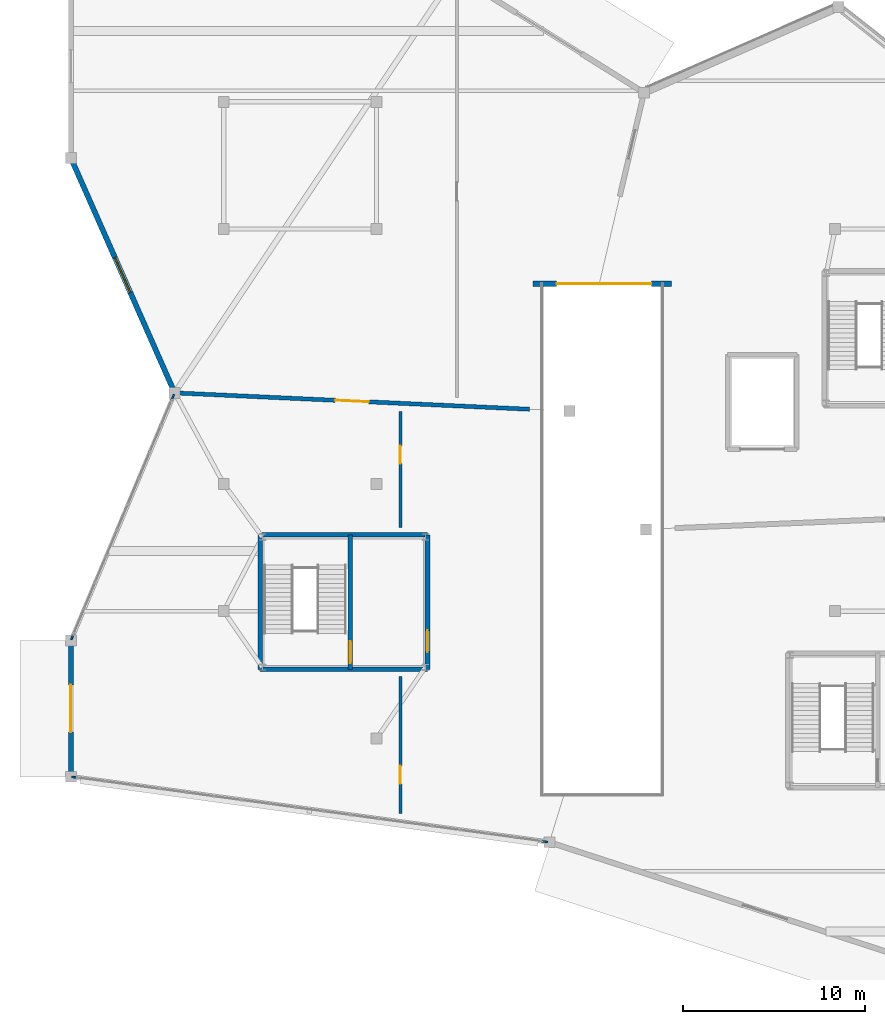
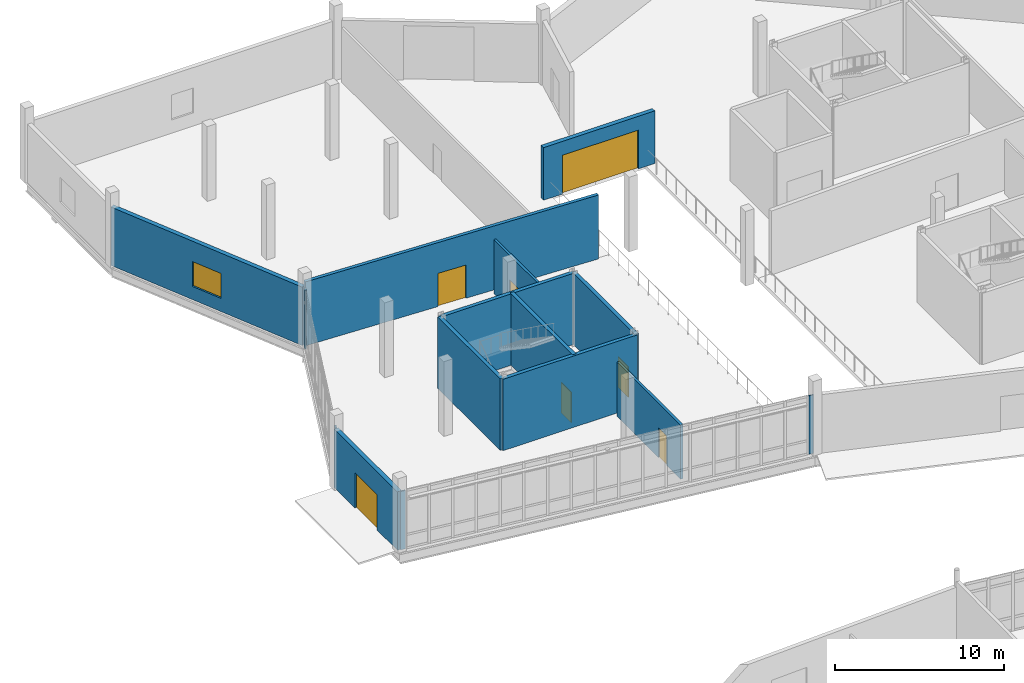
# One storey, part 92 of 113: 15 walls, 7 doors, 1 window, 8 openings.
"""IFC4 building model written with IfcOpenShell, lengths in metres."""

from ifc_helpers import new_model, si_unit, direction, frame, frame_2d, origin, place, context, subcontext, project, spatial, rectangle, extrude, material, layer, layer_set, type_object, element, fill, save


model = new_model("IFC4")

# Units and contexts
model_context = context("Model", 3, precision=1e-05, world=origin(), true_north=direction((0.0, 1.0)))
body_context = subcontext(model_context, "Body", "Model", "MODEL_VIEW")
ifc_project = project(units=[si_unit("LENGTHUNIT", "METRE"), si_unit("AREAUNIT", "SQUARE_METRE"), si_unit("VOLUMEUNIT", "CUBIC_METRE"), si_unit("PLANEANGLEUNIT", "RADIAN"), si_unit("MASSUNIT", "GRAM", prefix="KILO")], contexts=[model_context])

# Site, building, storey
site_placement = place(None, origin())
site = spatial("IfcSite", under=ifc_project, at=site_placement, CompositionType="ELEMENT")
building_placement = place(site_placement, origin())
building = spatial("IfcBuilding", under=site, at=building_placement, Name="Tameran Prism Museum", CompositionType="ELEMENT")
storey_placement = place(building_placement, origin())
storey = spatial("IfcBuildingStorey", under=building, at=storey_placement, Name="L00", CompositionType="ELEMENT", Elevation=0.0)

# Walls
ifc_material_1 = material(Name="Precast Concrete N40 (40 MPa)", Category="concrete")
ifc_layer_1 = layer(ifc_material_1, 0.094970703125)
ifc_layer_set_1 = layer_set([ifc_layer_1])
wall_type_1 = type_object("IfcWallType", Name="EW-CLOS-095", PredefinedType="SOLIDWALL", material=ifc_layer_set_1)
for number, where, z_axis, x_axis, name in (
    (1, (26.198974609375, 64.31396484375, 0.0), (0.0, 0.0, 1.0), (-0.991074779294, 0.133307096014, 0.0), "Facade Corner Closure EW-0150"),
    (2, (0.346923828125, 67.85302734375, 0.0), (0.0, 0.0, 1.0), (-0.991074779294, 0.133307096014, 0.0), "Facade Corner Closure EW-0151"),
):
    element("IfcWall", number, at=place(storey_placement, frame(where, z_axis=z_axis, x_axis=x_axis)), inside=storey, type_object=wall_type_1, Name=name, PredefinedType="SOLIDWALL", context=body_context, shape_type="SweptSolid", body=[
        extrude(rectangle(XDim=0.3076171875, YDim=0.094970703125, at=frame_2d((0.15380859375, 0.0))), origin(), (0.0, 0.0, 1.0), 4.219970703125),
    ])
for number, where, z_axis, x_axis, name in (
    (3, (0.01611328125, 75.43896484375, 0.0), (0.0, 0.0, 1.0), (0.3862479465, 0.922394993387, 0.0), "Facade Corner Closure EW-0152"),
    (4, (5.5419921875, 88.6220703125, 0.0), (0.0, 0.0, 1.0), (0.3862479465, 0.922394993387, 0.0), "Facade Corner Closure EW-0153"),
):
    element("IfcWall", number, at=place(storey_placement, frame(where, z_axis=z_axis, x_axis=x_axis)), inside=storey, type_object=wall_type_1, Name=name, PredefinedType="SOLIDWALL", context=body_context, shape_type="SweptSolid", body=[
        extrude(rectangle(XDim=0.307861328125, YDim=0.094970703125, at=frame_2d((0.15380859375, 0.0))), origin(), (0.0, 0.0, 1.0), 4.219970703125),
    ])

# Wall, opening, door
ifc_material_2 = material(Name="Precast Concrete N40 (40 MPa)", Category="concrete")
ifc_layer_2 = layer(ifc_material_2, 0.2900390625)
ifc_layer_set_2 = layer_set([ifc_layer_2])
wall_type_2 = type_object("IfcWallType", Name="EW-FOY-290", PredefinedType="SOLIDWALL", material=ifc_layer_set_2)
wall_1_placement = place(storey_placement, frame((0.0, 67.89990234375, 0.0), z_axis=(0.0, 0.0, 1.0), x_axis=(0.0, 1.0, 0.0)))
wall_1 = element("IfcWall", 5, at=wall_1_placement, inside=storey, type_object=wall_type_2, Name="Exterior Fluted Precast Wall EW-0149", PredefinedType="SOLIDWALL", context=body_context, shape_type="SweptSolid", body=[
    extrude(rectangle(XDim=7.5, YDim=0.2900390625, at=frame_2d((3.75, 0.0))), origin(), (0.0, 0.0, 1.0), 4.219970703125),
])
opening_1_placement = place(wall_1_placement, frame((2.449951171875, 0.0, 0.0)))
opening_1 = element("IfcOpeningElement", 6, at=opening_1_placement, cuts=wall_1, Name="Opening ED-14", PredefinedType="OPENING", context=body_context, shape_type="SweptSolid", body=[
    extrude(rectangle(XDim=2.60009765625, YDim=2.550048828125, at=frame_2d((1.300048828125, 1.27490234375))), frame((0.0, 0.155029296875, 0.0), z_axis=(0.0, -1.0, 0.0), x_axis=(1.0, 0.0, 0.0)), (0.0, 0.0, 1.0), 0.31005859375),
])
ifc_material_3 = material(Name="Cyclone-Rated Anodised Aluminium 6063-T6 and Laminated Glass", Category="aluminium")
door_type_1 = type_object("IfcDoorType", Name="DR-EXT-240", OperationType="DOUBLE_DOOR_SINGLE_SWING", PredefinedType="DOOR", material=ifc_material_3)
door_1_placement = place(opening_1_placement, origin())
door_1 = element("IfcDoor", 7, at=door_1_placement, inside=storey, type_object=door_type_1, Name="Final Exit Double Door ED-14", OperationType="DOUBLE_DOOR_SINGLE_SWING", OverallHeight=2.550048828125, OverallWidth=2.60009765625, PredefinedType="DOOR", context=body_context, shape_type="SweptSolid", body=[
    extrude(rectangle(XDim=2.60009765625, YDim=2.550048828125, at=frame_2d((1.300048828125, 1.27490234375))), frame((0.0, 0.02490234375, 0.0), z_axis=(0.0, -1.0, 0.0), x_axis=(1.0, 0.0, 0.0)), (0.0, 0.0, 1.0), 0.050048828125),
])
fill(opening_1, door_1)

# Wall, opening, window
wall_2_placement = place(storey_placement, frame((5.676025390625, 89.054931640625, 0.0), z_axis=(0.0, 0.0, 1.0), x_axis=(-0.404184143846, 0.914677636035, 0.0)))
wall_2 = element("IfcWall", 8, at=wall_2_placement, inside=storey, type_object=wall_type_2, Name="Exterior Fluted Precast Wall EW-0157", PredefinedType="SOLIDWALL", context=body_context, shape_type="SweptSolid", body=[
    extrude(rectangle(XDim=14.043212890625, YDim=0.2900390625, at=frame_2d((7.021484375, 0.0))), origin(), (0.0, 0.0, 1.0), 4.219970703125),
])
opening_2_placement = place(wall_2_placement, frame((5.970947265625, 0.0, 0.949951171875)))
opening_2 = element("IfcOpeningElement", 9, at=opening_2_placement, cuts=wall_2, Name="Opening W-004", PredefinedType="OPENING", context=body_context, shape_type="SweptSolid", body=[
    extrude(rectangle(XDim=2.10009765625, YDim=1.800048828125, at=frame_2d((1.050048828125, 0.89990234375))), frame((0.0, 0.155029296875, 0.0), z_axis=(0.0, -1.0, 0.0), x_axis=(1.0, 0.0, 0.0)), (0.0, 0.0, 1.0), 0.31005859375),
])
ifc_material_4 = material(Name="Cyclone Laminated Low-E Glass in 6063-T6 Frame", Category="glass")
window_type = type_object("IfcWindowType", Name="WIN-W04", PartitioningType="SINGLE_PANEL", PredefinedType="WINDOW", material=ifc_material_4)
window_placement = place(opening_2_placement, origin())
window = element("IfcWindow", 10, at=window_placement, inside=storey, type_object=window_type, Name="Solar-Shaded Window W-004", OverallHeight=1.800048828125, OverallWidth=2.10009765625, PartitioningType="SINGLE_PANEL", PredefinedType="WINDOW", context=body_context, shape_type="SweptSolid", body=[
    extrude(rectangle(XDim=2.10009765625, YDim=1.800048828125, at=frame_2d((1.050048828125, 0.89990234375))), frame((0.0, 0.030029296875, 0.0), z_axis=(0.0, -1.0, 0.0), x_axis=(1.0, 0.0, 0.0)), (0.0, 0.0, 1.0), 0.06005859375),
])
fill(opening_2, window)

# Wall, opening, door
wall_3_placement = place(storey_placement, frame((33.0, 95.0, 0.0), z_axis=(0.0, 0.0, 1.0), x_axis=(-1.0, 0.0, 0.0)))
wall_3 = element("IfcWall", 11, at=wall_3_placement, inside=storey, type_object=wall_type_2, Name="Car Park Ramp Portal Wall EW-0479", PredefinedType="SOLIDWALL", context=body_context, shape_type="SweptSolid", body=[
    extrude(rectangle(XDim=7.60009765625, YDim=0.2900390625, at=frame_2d((3.800048828125, 0.0))), origin(), (0.0, 0.0, 1.0), 3.800048828125),
])
opening_3_placement = place(wall_3_placement, frame((1.10009765625, 0.0, 0.0)))
opening_3 = element("IfcOpeningElement", 12, at=opening_3_placement, cuts=wall_3, Name="Opening GD-02", PredefinedType="OPENING", context=body_context, shape_type="SweptSolid", body=[
    extrude(rectangle(XDim=5.199951171875, YDim=2.800048828125, at=frame_2d((2.60009765625, 1.39990234375))), frame((0.0, 0.155029296875, 0.0), z_axis=(0.0, -1.0, 0.0), x_axis=(1.0, 0.0, 0.0)), (0.0, 0.0, 1.0), 0.31005859375),
])
ifc_material_5 = material(Name="Cyclone-Rated Anodised Aluminium 6063-T6 and Laminated Glass", Category="aluminium")
door_type_2 = type_object("IfcDoorType", Name="DR-GAT-RAMP", OperationType="ROLLINGUP", PredefinedType="GATE", material=ifc_material_5)
door_2_placement = place(opening_3_placement, origin())
door_2 = element("IfcDoor", 13, at=door_2_placement, inside=storey, type_object=door_type_2, Name="Car Park Ramp Vehicle Gate", OperationType="ROLLINGUP", OverallHeight=2.800048828125, OverallWidth=5.199951171875, PredefinedType="GATE", context=body_context, shape_type="SweptSolid", body=[
    extrude(rectangle(XDim=5.199951171875, YDim=2.800048828125, at=frame_2d((2.60009765625, 1.39990234375))), frame((0.0, 0.02490234375, 0.0), z_axis=(0.0, -1.0, 0.0), x_axis=(1.0, 0.0, 0.0)), (0.0, 0.0, 1.0), 0.050048828125),
])
fill(opening_3, door_2)

ifc_material_6 = material(Name="Concrete N40 (40 MPa)", Category="concrete")
ifc_layer_3 = layer(ifc_material_6, 0.22509765625)
ifc_layer_set_3 = layer_set([ifc_layer_3])
wall_type_3 = type_object("IfcWallType", Name="IW-CMP-225", PredefinedType="SOLIDWALL", material=ifc_layer_set_3)
wall_4_placement = place(storey_placement, frame((25.199951171875, 88.10107421875, 0.0), z_axis=(0.0, 0.0, 1.0), x_axis=(-0.998939142773, 0.046049853812, 0.0)))
wall_4 = element("IfcWall", 14, at=wall_4_placement, inside=storey, type_object=wall_type_3, Name="Compartment Wall IW-0048", PredefinedType="SOLIDWALL", context=body_context, shape_type="SweptSolid", body=[
    extrude(rectangle(XDim=19.520751953125, YDim=0.22509765625, at=frame_2d((9.76025390625, 0.0))), origin(), (0.0, 0.0, 1.0), 4.6201171875),
])
opening_4_placement = place(wall_4_placement, frame((8.8349609375, 0.0, 0.0)))
opening_4 = element("IfcOpeningElement", 15, at=opening_4_placement, cuts=wall_4, Name="Opening ID-0047", PredefinedType="OPENING", context=body_context, shape_type="SweptSolid", body=[
    extrude(rectangle(XDim=1.85009765625, YDim=2.39990234375, at=frame_2d((0.925048828125, 1.199951171875))), frame((0.0, 0.12255859375, 0.0), z_axis=(0.0, -1.0, 0.0), x_axis=(1.0, 0.0, 0.0)), (0.0, 0.0, 1.0), 0.2451171875),
])
ifc_material_7 = material(Name="Fire-Rated Steel Door Leaf and Frame", Category="steel")
door_type_3 = type_object("IfcDoorType", Name="DR-GAL-185", OperationType="DOUBLE_DOOR_SINGLE_SWING", PredefinedType="DOOR", material=ifc_material_7)
door_3_placement = place(opening_4_placement, origin())
door_3 = element("IfcDoor", 16, at=door_3_placement, inside=storey, type_object=door_type_3, Name="Compartment Door ID-0047", OperationType="DOUBLE_DOOR_SINGLE_SWING", OverallHeight=2.39990234375, OverallWidth=1.85009765625, PredefinedType="DOOR", context=body_context, shape_type="SweptSolid", body=[
    extrude(rectangle(XDim=1.85009765625, YDim=2.39990234375, at=frame_2d((0.925048828125, 1.199951171875))), frame((0.0, 0.02490234375, 0.0), z_axis=(0.0, -1.0, 0.0), x_axis=(1.0, 0.0, 0.0)), (0.0, 0.0, 1.0), 0.050048828125),
])
fill(opening_4, door_3)

# Walls
ifc_material_8 = material(Name="Concrete N40 (40 MPa)", Category="concrete")
ifc_layer_4 = layer(ifc_material_8, 0.25)
ifc_layer_set_4 = layer_set([ifc_layer_4])
wall_type_4 = type_object("IfcWallType", Name="IW-COR-250", PredefinedType="SHEAR", material=ifc_layer_set_4)
wall_5_placement = place(storey_placement, frame((10.39990234375, 73.800048828125, 0.0), z_axis=(0.0, 0.0, 1.0), x_axis=(0.0, 1.0, 0.0)))
element("IfcWall", 17, at=wall_5_placement, inside=storey, type_object=wall_type_4, Name="Core Shear Wall CW-9-L00-W", PredefinedType="SHEAR", context=body_context, shape_type="SweptSolid", body=[
    extrude(rectangle(XDim=7.39990234375, YDim=0.25, at=frame_2d((3.699951171875, 0.0))), origin(), (0.0, 0.0, 1.0), 5.159912109375),
])
for number, where, z_axis, x_axis, name in (
    (18, (10.39990234375, 81.199951171875, 0.0), (0.0, 0.0, 1.0), (1.0, 0.0, 0.0), "Core Shear Wall CW-9-L00-N"),
    (19, (19.60009765625, 73.800048828125, 0.0), (0.0, 0.0, 1.0), (-1.0, 0.0, 0.0), "Core Shear Wall CW-9-L00-S"),
):
    element("IfcWall", number, at=place(storey_placement, frame(where, z_axis=z_axis, x_axis=x_axis)), inside=storey, type_object=wall_type_4, Name=name, PredefinedType="SHEAR", context=body_context, shape_type="SweptSolid", body=[
        extrude(rectangle(XDim=9.2001953125, YDim=0.25, at=frame_2d((4.60009765625, 0.0))), origin(), (0.0, 0.0, 1.0), 5.159912109375),
    ])

# Wall, opening, door
wall_6_placement = place(storey_placement, frame((19.60009765625, 81.199951171875, 0.0), z_axis=(0.0, 0.0, 1.0), x_axis=(0.0, -1.0, 0.0)))
wall_6 = element("IfcWall", 20, at=wall_6_placement, inside=storey, type_object=wall_type_4, Name="Core Shear Wall CW-9-L00-E", PredefinedType="SHEAR", context=body_context, shape_type="SweptSolid", body=[
    extrude(rectangle(XDim=7.39990234375, YDim=0.25, at=frame_2d((3.699951171875, 0.0))), origin(), (0.0, 0.0, 1.0), 5.159912109375),
])
opening_5_placement = place(wall_6_placement, frame((5.25, 0.0, 0.0)))
opening_5 = element("IfcOpeningElement", 21, at=opening_5_placement, cuts=wall_6, Name="Opening FD-0261", PredefinedType="OPENING", context=body_context, shape_type="SweptSolid", body=[
    extrude(rectangle(XDim=1.199951171875, YDim=2.199951171875, at=frame_2d((0.60009765625, 1.10009765625))), frame((0.0, 0.135009765625, 0.0), z_axis=(0.0, -1.0, 0.0), x_axis=(1.0, 0.0, 0.0)), (0.0, 0.0, 1.0), 0.27001953125),
])
ifc_material_9 = material(Name="Fire-Rated Steel Door Leaf and Frame", Category="steel")
door_type_4 = type_object("IfcDoorType", Name="DR-FD-120A", OperationType="NOTDEFINED", PredefinedType="DOOR", material=ifc_material_9)
door_4_placement = place(opening_5_placement, origin())
door_4 = element("IfcDoor", 22, at=door_4_placement, inside=storey, type_object=door_type_4, Name="Core Fire Door FD-0261", OperationType="SINGLE_SWING_LEFT", OverallHeight=2.199951171875, OverallWidth=1.199951171875, PredefinedType="DOOR", context=body_context, shape_type="SweptSolid", body=[
    extrude(rectangle(XDim=1.199951171875, YDim=2.199951171875, at=frame_2d((0.60009765625, 1.10009765625))), frame((0.0, 0.02490234375, 0.0), z_axis=(0.0, -1.0, 0.0), x_axis=(1.0, 0.0, 0.0)), (0.0, 0.0, 1.0), 0.050048828125),
])
fill(opening_5, door_4)

wall_7_placement = place(storey_placement, frame((15.35009765625, 81.199951171875, 0.0), z_axis=(0.0, 0.0, 1.0), x_axis=(0.0, -1.0, 0.0)))
wall_7 = element("IfcWall", 23, at=wall_7_placement, inside=storey, type_object=wall_type_4, Name="Core Shear Wall CW-9-L00-M", PredefinedType="SHEAR", context=body_context, shape_type="SweptSolid", body=[
    extrude(rectangle(XDim=7.39990234375, YDim=0.25, at=frame_2d((3.699951171875, 0.0))), origin(), (0.0, 0.0, 1.0), 5.159912109375),
])
opening_6_placement = place(wall_7_placement, frame((5.85009765625, 0.0, 0.0)))
opening_6 = element("IfcOpeningElement", 24, at=opening_6_placement, cuts=wall_7, Name="Opening FD-0262", PredefinedType="OPENING", context=body_context, shape_type="SweptSolid", body=[
    extrude(rectangle(XDim=1.199951171875, YDim=2.199951171875, at=frame_2d((0.60009765625, 1.10009765625))), frame((0.0, 0.135009765625, 0.0), z_axis=(0.0, -1.0, 0.0), x_axis=(1.0, 0.0, 0.0)), (0.0, 0.0, 1.0), 0.27001953125),
])
door_5_placement = place(opening_6_placement, origin())
door_5 = element("IfcDoor", 25, at=door_5_placement, inside=storey, type_object=door_type_4, Name="Core Fire Door FD-0262", OperationType="SINGLE_SWING_RIGHT", OverallHeight=2.199951171875, OverallWidth=1.199951171875, PredefinedType="DOOR", context=body_context, shape_type="SweptSolid", body=[
    extrude(rectangle(XDim=1.199951171875, YDim=2.199951171875, at=frame_2d((0.60009765625, 1.10009765625))), frame((0.0, 0.02490234375, 0.0), z_axis=(0.0, -1.0, 0.0), x_axis=(1.0, 0.0, 0.0)), (0.0, 0.0, 1.0), 0.050048828125),
])
fill(opening_6, door_5)

ifc_material_10 = material(Name="Fire-Rated Corridor Stud Partition")
ifc_layer_5 = layer(ifc_material_10, 0.159912109375)
ifc_layer_set_5 = layer_set([ifc_layer_5])
wall_type_5 = type_object("IfcWallType", Name="IW-PRT-160", PredefinedType="PARTITIONING", material=ifc_layer_set_5)
wall_8_placement = place(storey_placement, frame((18.10595703125, 81.60009765625, 0.0), z_axis=(0.0, 0.0, 1.0), x_axis=(0.0, 1.0, 0.0)))
wall_8 = element("IfcWall", 26, at=wall_8_placement, inside=storey, type_object=wall_type_5, Name="Internal Partition PT-0074", PredefinedType="PARTITIONING", context=body_context, shape_type="SweptSolid", body=[
    extrude(rectangle(XDim=6.3779296875, YDim=0.159912109375, at=frame_2d((3.18896484375, 0.0))), origin(), (0.0, 0.0, 1.0), 3.919921875),
])
opening_7_placement = place(wall_8_placement, frame((3.509033203125, 0.0, 0.0)))
opening_7 = element("IfcOpeningElement", 27, at=opening_7_placement, cuts=wall_8, Name="Opening ID-0073", PredefinedType="OPENING", context=body_context, shape_type="SweptSolid", body=[
    extrude(rectangle(XDim=0.97998046875, YDim=2.14990234375, at=frame_2d((0.489990234375, 1.074951171875))), frame((0.0, 0.08984375, 0.0), z_axis=(0.0, -1.0, 0.0), x_axis=(1.0, 0.0, 0.0)), (0.0, 0.0, 1.0), 0.179931640625),
])
ifc_material_11 = material(Name="Acoustic Solid-Core Timber Door", Category="wood")
door_type_5 = type_object("IfcDoorType", Name="DR-INT-098", OperationType="NOTDEFINED", PredefinedType="DOOR", material=ifc_material_11)
door_6_placement = place(opening_7_placement, origin())
door_6 = element("IfcDoor", 28, at=door_6_placement, inside=storey, type_object=door_type_5, Name="Interior Room Door ID-0073", OperationType="SINGLE_SWING_RIGHT", OverallHeight=2.14990234375, OverallWidth=0.97998046875, PredefinedType="DOOR", context=body_context, shape_type="SweptSolid", body=[
    extrude(rectangle(XDim=0.97998046875, YDim=2.14990234375, at=frame_2d((0.489990234375, 1.074951171875))), frame((0.0, 0.02490234375, 0.0), z_axis=(0.0, -1.0, 0.0), x_axis=(1.0, 0.0, 0.0)), (0.0, 0.0, 1.0), 0.050048828125),
])
fill(opening_7, door_6)

ifc_material_12 = material(Name="Gallery Plywood-Backed Stud Partition", Category="wood")
ifc_layer_6 = layer(ifc_material_12, 0.169921875)
ifc_layer_set_6 = layer_set([ifc_layer_6])
wall_type_6 = type_object("IfcWallType", Name="IW-PRT-170", PredefinedType="PARTITIONING", material=ifc_layer_set_6)
wall_9_placement = place(storey_placement, frame((18.10595703125, 65.8759765625, 0.0), z_axis=(0.0, 0.0, 1.0), x_axis=(0.0, 1.0, 0.0)))
wall_9 = element("IfcWall", 29, at=wall_9_placement, inside=storey, type_object=wall_type_6, Name="Internal Partition PT-0073", PredefinedType="PARTITIONING", context=body_context, shape_type="SweptSolid", body=[
    extrude(rectangle(XDim=7.52392578125, YDim=0.169921875, at=frame_2d((3.761962890625, 0.0))), origin(), (0.0, 0.0, 1.0), 3.919921875),
])
opening_8_placement = place(wall_9_placement, frame((1.635986328125, 0.0, 0.0)))
opening_8 = element("IfcOpeningElement", 30, at=opening_8_placement, cuts=wall_9, Name="Opening ID-0072", PredefinedType="OPENING", context=body_context, shape_type="SweptSolid", body=[
    extrude(rectangle(XDim=0.97998046875, YDim=2.14990234375, at=frame_2d((0.489990234375, 1.074951171875))), frame((0.0, 0.094970703125, 0.0), z_axis=(0.0, -1.0, 0.0), x_axis=(1.0, 0.0, 0.0)), (0.0, 0.0, 1.0), 0.18994140625),
])
door_7_placement = place(opening_8_placement, origin())
door_7 = element("IfcDoor", 31, at=door_7_placement, inside=storey, type_object=door_type_5, Name="Interior Room Door ID-0072", OperationType="SINGLE_SWING_LEFT", OverallHeight=2.14990234375, OverallWidth=0.97998046875, PredefinedType="DOOR", context=body_context, shape_type="SweptSolid", body=[
    extrude(rectangle(XDim=0.97998046875, YDim=2.14990234375, at=frame_2d((0.489990234375, 1.074951171875))), frame((0.0, 0.02490234375, 0.0), z_axis=(0.0, -1.0, 0.0), x_axis=(1.0, 0.0, 0.0)), (0.0, 0.0, 1.0), 0.050048828125),
])
fill(opening_8, door_7)

save(model, "model.ifc")
